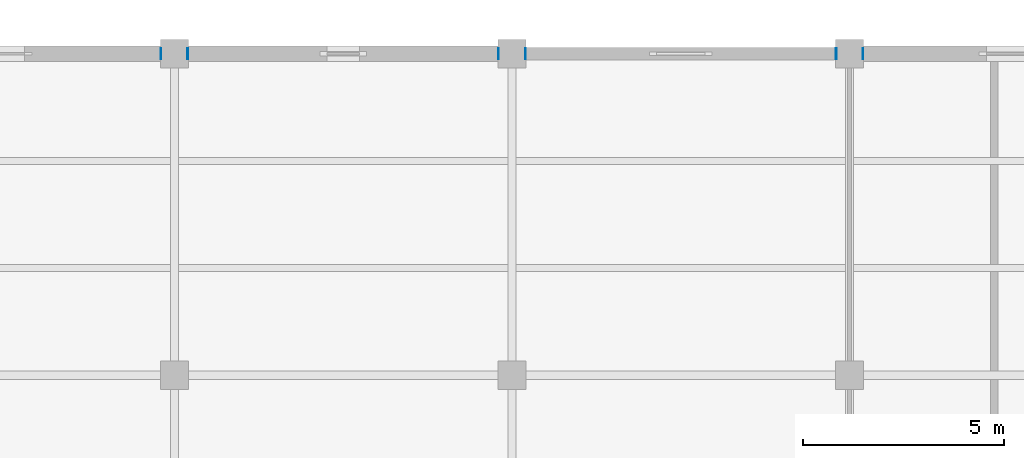
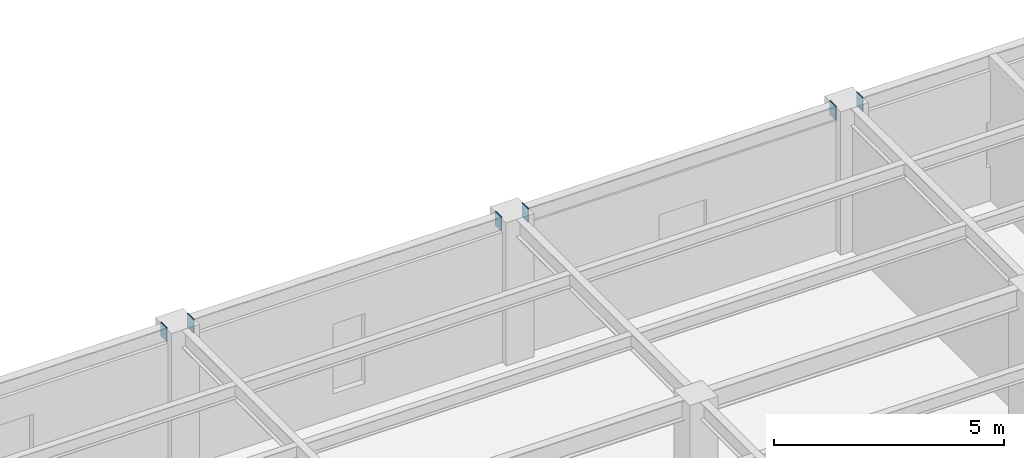
# One storey, part 107 of 138: 6 discrete accessories.
"""IFC4 building model written with IfcOpenShell, lengths in metres."""

import ifcopenshell
import ifcopenshell.guid

model = None  # the IFC model being written
_history = None  # IfcOwnerHistory: only IFC2X3 demands one
_inside = {}  # id of a spatial element -> (the spatial element, [elements in it])
_under = {}  # id of a project, library or spatial element -> (it, [spatial elements below it])
_declared = {}  # id of a project -> (the project, [libraries it declares])
_typed = {}  # id of a type object -> (the type object, [elements of that type])
_made_of = {}  # id of a material, layer set ... -> (it, [elements and type objects made of it])


def new_model(schema):
    """Start an empty IFC model of exactly this schema.

    Asked for "IFC4X3", IfcOpenShell would pick the latest addendum, in which some entities
    have other attributes; the version numbers below select the first issue.
    IFC2X3 requires an IfcOwnerHistory on every rooted entity: one is made here for all.
    """
    global model, _history
    if schema == "IFC4X3":
        model = ifcopenshell.file(schema_version=(4, 3, 0, 0))
    else:
        model = ifcopenshell.file(schema=schema)
    _inside.clear()
    _under.clear()
    _declared.clear()
    _typed.clear()
    _made_of.clear()
    _history = None
    if model.schema == "IFC2X3":
        org = make("IfcOrganization", Name="unknown")
        user = make(
            "IfcPersonAndOrganization",
            ThePerson=make("IfcPerson", FamilyName="unknown"),
            TheOrganization=org,
        )
        app = make(
            "IfcApplication",
            ApplicationDeveloper=org,
            Version="unknown",
            ApplicationFullName="unknown",
            ApplicationIdentifier="unknown",
        )
        _history = make(
            "IfcOwnerHistory",
            OwningUser=user,
            OwningApplication=app,
            ChangeAction="ADDED",
            CreationDate=0,
        )
    return model


def make(cls, **values):
    """One entity of the class cls with the attributes given. An attribute that is None is left unset."""
    return model.create_entity(
        cls, **{name: value for name, value in values.items() if value is not None}
    )


def rooted(cls, **values):
    """An entity with a GlobalId (a new one), such as an element, a storey or a relation."""
    return make(cls, GlobalId=ifcopenshell.guid.new(), OwnerHistory=_history, **values)


def si_unit(unit_type, name, prefix=None):
    """IfcSIUnit, for example si_unit("LENGTHUNIT", "METRE", prefix="MILLI")."""
    return make("IfcSIUnit", UnitType=unit_type, Prefix=prefix, Name=name)


def assignment(units):
    """IfcUnitAssignment: the units of a project."""
    return None if units is None else make("IfcUnitAssignment", Units=units)


def point(xyz):
    """IfcCartesianPoint."""
    return None if xyz is None else make("IfcCartesianPoint", Coordinates=xyz)


def direction(xyz):
    """IfcDirection."""
    return None if xyz is None else make("IfcDirection", DirectionRatios=xyz)


def frame(location, z_axis=None, x_axis=None):
    """IfcAxis2Placement3D, a coordinate frame: its origin and axes. An axis left out is left unset."""
    return make(
        "IfcAxis2Placement3D",
        Location=point(location),
        Axis=direction(z_axis),
        RefDirection=direction(x_axis),
    )


def frame_2d(location, x_axis=None):
    """IfcAxis2Placement2D, a coordinate frame in the plane: its origin and x axis."""
    return make(
        "IfcAxis2Placement2D", Location=point(location), RefDirection=direction(x_axis)
    )


def origin():
    """The frame at (0, 0, 0) with its axes left unset."""
    return frame((0.0, 0.0, 0.0))


def origin_2d():
    """The frame at (0, 0) in the plane with its x axis left unset."""
    return frame_2d((0.0, 0.0))


def place(relative_to, where):
    """IfcLocalPlacement: puts the frame where relative to a parent placement (None: the world)."""
    return make(
        "IfcLocalPlacement", PlacementRelTo=relative_to, RelativePlacement=where
    )


def context(
    kind, dimensions, precision=None, world=None, true_north=None, identifier=None
):
    """IfcGeometricRepresentationContext, for example the 3D "Model" context."""
    return make(
        "IfcGeometricRepresentationContext",
        ContextIdentifier=identifier,
        ContextType=kind,
        CoordinateSpaceDimension=dimensions,
        Precision=precision,
        WorldCoordinateSystem=world,
        TrueNorth=true_north,
    )


def subcontext(parent, identifier, kind, view, scale=None):
    """IfcGeometricRepresentationSubContext, for example "Body" below "Model"."""
    return make(
        "IfcGeometricRepresentationSubContext",
        ContextIdentifier=identifier,
        ContextType=kind,
        ParentContext=parent,
        TargetScale=scale,
        TargetView=view,
    )


def project(units=None, contexts=None):
    """IfcProject with its units and contexts."""
    return rooted(
        "IfcProject",
        Name="project",
        RepresentationContexts=contexts,
        UnitsInContext=assignment(units),
    )


def spatial(cls, under=None, at=None, **own):
    """A site, building, storey or space (cls), placed at a placement, below another one or the project."""
    s = rooted(cls, ObjectPlacement=at, **own)
    if under is not None:
        _under.setdefault(under.id(), (under, []))[1].append(s)
    return s


def profile(cls, at=None, kind="AREA", **sizes):
    """A parametric profile (cls). Its sizes go by their IFC names, for example OverallWidth=200.0."""
    return make(cls, ProfileType=kind, Position=at, **sizes)


def rectangle(**sizes):
    """IfcRectangleProfileDef."""
    return profile("IfcRectangleProfileDef", **sizes)


def extrude(swept, where, along, depth):
    """IfcExtrudedAreaSolid: the profile swept, set in the frame where, extruded along a direction by depth."""
    return make(
        "IfcExtrudedAreaSolid",
        SweptArea=swept,
        Position=where,
        ExtrudedDirection=direction(along),
        Depth=depth,
    )


def shape(context_of_items, identifier, shape_type, items):
    """IfcShapeRepresentation: the items that make up one representation, for example the "Body"."""
    return make(
        "IfcShapeRepresentation",
        ContextOfItems=context_of_items,
        RepresentationIdentifier=identifier,
        RepresentationType=shape_type,
        Items=items,
    )


def material(Name=None, Category=None):
    """IfcMaterial."""
    return make("IfcMaterial", Name=Name, Category=Category)


def layer(
    of_material, thickness, ventilated=None, Name=None, Category=None, Priority=None
):
    """IfcMaterialLayer: one layer of a wall or slab, of a material (None: an air gap)."""
    return make(
        "IfcMaterialLayer",
        Material=of_material,
        LayerThickness=thickness,
        IsVentilated=ventilated,
        Name=Name,
        Category=Category,
        Priority=Priority,
    )


def layer_set(layers, Name=None):
    """IfcMaterialLayerSet."""
    return make("IfcMaterialLayerSet", MaterialLayers=layers, LayerSetName=Name)


def made_of(thing, what):
    """Note that an element or type object is made of a material, layer set ...; save() writes the relation."""
    if what is not None:
        _made_of.setdefault(what.id(), (what, []))[1].append(thing)
    return thing


def type_object(cls, material=None, **own):
    """A type object (cls), such as IfcWallType, which elements share."""
    return made_of(rooted(cls, **own), material)


def element(
    cls,
    number,
    at=None,
    inside=None,
    cuts=None,
    type_object=None,
    material=None,
    context=None,
    identifier="Body",
    shape_type=None,
    held_by="IfcProductDefinitionShape",
    body=None,
    shapes=None,
    **own,
):
    """One element of the class cls, such as IfcWall. Its Tag is "e" and its number.

    at: its placement. inside: the storey or other place that contains it. cuts: it is an
    opening in that element (IfcRelVoidsElement). A single representation is given by context,
    identifier, shape_type and body (its items); several are given by shapes. held_by: the class
    of the entity that holds the representations. save() writes the other relations.
    """
    e = rooted(cls, Tag="e%d" % number, ObjectPlacement=at, **own)
    if body is not None:
        shapes = [shape(context, identifier, shape_type, body)]
    if shapes is not None:
        e.Representation = make(held_by, Representations=shapes)
    if inside is not None:
        _inside.setdefault(inside.id(), (inside, []))[1].append(e)
    if cuts is not None:
        rooted(
            "IfcRelVoidsElement", RelatingBuildingElement=cuts, RelatedOpeningElement=e
        )
    if type_object is not None:
        _typed.setdefault(type_object.id(), (type_object, []))[1].append(e)
    return made_of(e, material)


def aggregate(whole, parts):
    """IfcRelAggregates: a whole, such as a stair, and the parts it consists of."""
    return rooted("IfcRelAggregates", RelatingObject=whole, RelatedObjects=parts)


def save(model, path):
    """Write the relations noted so far, then the file.

    IfcRelAggregates (storeys below a building ...), IfcRelContainedInSpatialStructure (elements
    in a storey), IfcRelDefinesByType, IfcRelAssociatesMaterial and IfcRelDeclares: one each for
    every whole, place, type object, material and project.
    """
    for whole, parts in _under.values():
        aggregate(whole, parts)
    for where, things in _inside.values():
        rooted(
            "IfcRelContainedInSpatialStructure",
            RelatedElements=things,
            RelatingStructure=where,
        )
    for kind, things in _typed.values():
        rooted("IfcRelDefinesByType", RelatedObjects=things, RelatingType=kind)
    for what, things in _made_of.values():
        rooted("IfcRelAssociatesMaterial", RelatedObjects=things, RelatingMaterial=what)
    for by, libraries in _declared.values():
        rooted("IfcRelDeclares", RelatingContext=by, RelatedDefinitions=libraries)
    model.write(path)


model = new_model("IFC4")

# Units and contexts
model_context = context("Model", 3, precision=1e-05, world=origin(), true_north=direction((0.0, 1.0)))
body_context = subcontext(model_context, "Body", "Model", "MODEL_VIEW")
ifc_project = project(units=[si_unit("LENGTHUNIT", "METRE"), si_unit("AREAUNIT", "SQUARE_METRE"), si_unit("VOLUMEUNIT", "CUBIC_METRE"), si_unit("PLANEANGLEUNIT", "RADIAN"), si_unit("MASSUNIT", "GRAM", prefix="KILO")], contexts=[model_context])

# Site, building, storey
site_placement = place(None, origin())
site = spatial("IfcSite", under=ifc_project, at=site_placement, CompositionType="ELEMENT")
building_placement = place(site_placement, origin())
building = spatial("IfcBuilding", under=site, at=building_placement, Name="Kranzveld Transit Interchange", CompositionType="ELEMENT")
storey_placement = place(building_placement, frame((0.0, 0.0, 5.43994140625)))
storey = spatial("IfcBuildingStorey", under=building, at=storey_placement, Name="L01", CompositionType="ELEMENT", Elevation=5.43994140625)

# Discrete accessories
ifc_material = material(Name="Steel S355JR", Category="steel")
ifc_layer = layer(ifc_material, 0.02001953125)
ifc_layer_set = layer_set([ifc_layer], Name="Steel S355JR")
discrete_accessory_type = type_object("IfcDiscreteAccessoryType", Name="Hollow Section End Cap Bracket 20 S355JR", PredefinedType="BRACKET", material=ifc_layer_set)
for number, where, z_axis, x_axis, name in (
    (1, (24.85595703125, 112.0, 3.625), (1.0, 0.0, 0.0), (0.0, 1.0, 0.0), "Hollow Section End Cap SP-RHS350-2"),
    (2, (25.5439453125, 112.0, 3.625), (-1.0, 0.0, 0.0), (0.0, -1.0, 0.0), "Hollow Section End Cap SP-RHS350-1"),
):
    element("IfcDiscreteAccessory", number, at=place(storey_placement, frame(where, z_axis=z_axis, x_axis=x_axis)), inside=storey, type_object=discrete_accessory_type, Name=name, PredefinedType="BRACKET", context=body_context, shape_type="SweptSolid", body=[
        extrude(rectangle(XDim=0.27392578125, YDim=0.3740234375, at=origin_2d()), origin(), (0.0, 0.0, 1.0), 0.02001953125),
    ])
discrete_accessory_placement = place(storey_placement, frame((33.256103515625, 112.0, 3.625), z_axis=(1.0, 0.0, 0.0), x_axis=(0.0, 1.0, 0.0)))
element("IfcDiscreteAccessory", 3, at=discrete_accessory_placement, inside=storey, type_object=discrete_accessory_type, Name="Hollow Section End Cap SP-RHS350-2", PredefinedType="BRACKET", context=body_context, shape_type="SweptSolid", body=[
    extrude(rectangle(XDim=0.27392578125, YDim=0.3740234375, at=origin_2d()), origin(), (0.0, 0.0, 1.0), 0.019775390625),
])
for number, where, z_axis, x_axis, name in (
    (4, (33.944091796875, 112.0, 3.625), (-1.0, 0.0, 0.0), (0.0, -1.0, 0.0), "Hollow Section End Cap SP-RHS350-1"),
    (5, (41.656005859375, 112.0, 3.625), (1.0, 0.0, 0.0), (0.0, 1.0, 0.0), "Hollow Section End Cap SP-RHS350-2"),
    (6, (42.343994140625, 112.0, 3.625), (-1.0, 0.0, 0.0), (0.0, -1.0, 0.0), "Hollow Section End Cap SP-RHS350-1"),
):
    element("IfcDiscreteAccessory", number, at=place(storey_placement, frame(where, z_axis=z_axis, x_axis=x_axis)), inside=storey, type_object=discrete_accessory_type, Name=name, PredefinedType="BRACKET", context=body_context, shape_type="SweptSolid", body=[
        extrude(rectangle(XDim=0.27392578125, YDim=0.3740234375, at=origin_2d()), origin(), (0.0, 0.0, 1.0), 0.02001953125),
    ])

save(model, "model.ifc")
